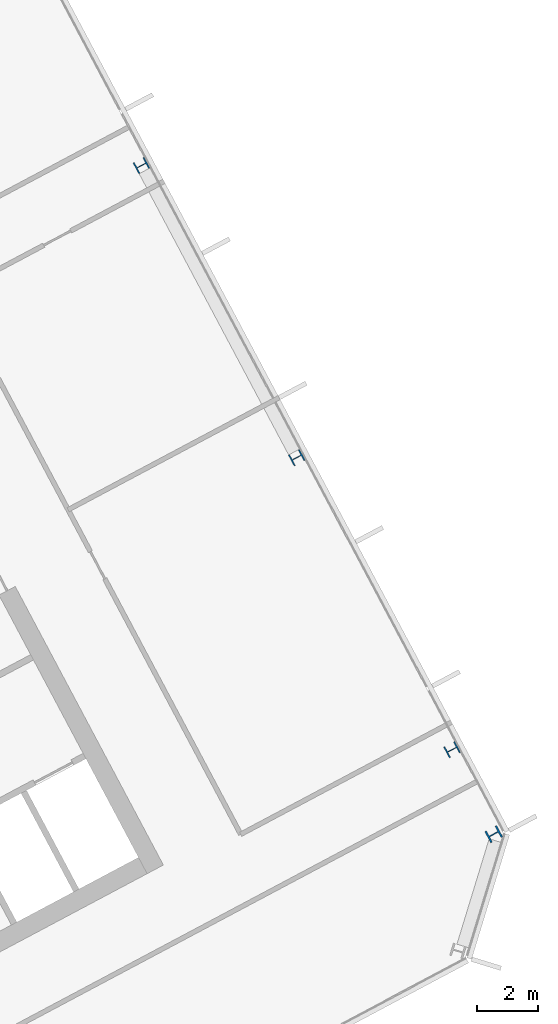
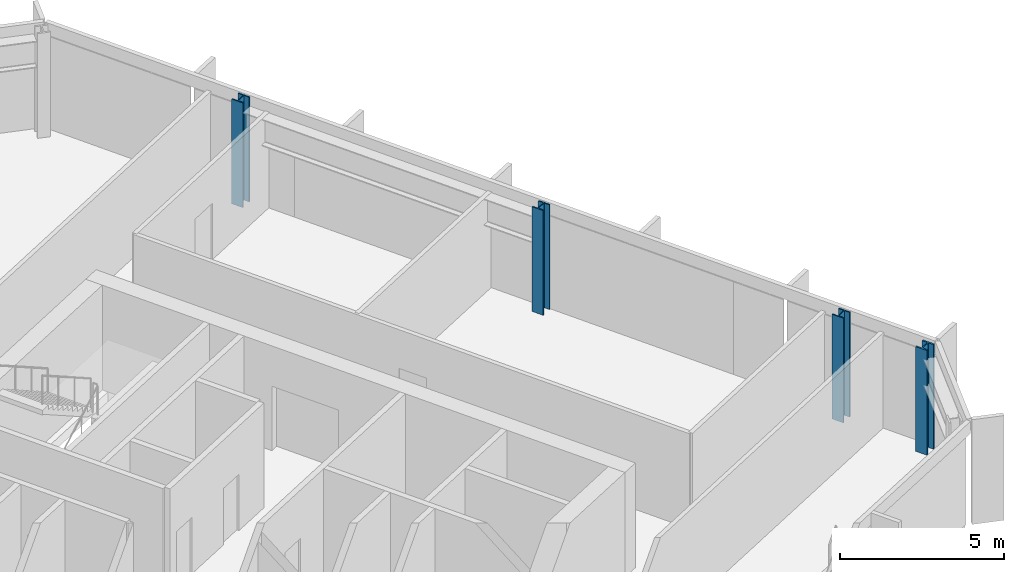
# One storey, part 7 of 26: 4 columns.
"""IFC4 building model written with IfcOpenShell, lengths in metres."""

from ifc_helpers import new_model, si_unit, direction, frame, origin, origin_2d, place, context, subcontext, project, spatial, i_section, extrude, material, material_profile, profile_set, type_object, element, save


model = new_model("IFC4")

# Units and contexts
model_context = context("Model", 3, precision=1e-05, world=origin(), true_north=direction((0.0, 1.0)))
body_context = subcontext(model_context, "Body", "Model", "MODEL_VIEW")
ifc_project = project(units=[si_unit("LENGTHUNIT", "METRE"), si_unit("AREAUNIT", "SQUARE_METRE"), si_unit("VOLUMEUNIT", "CUBIC_METRE"), si_unit("PLANEANGLEUNIT", "RADIAN"), si_unit("MASSUNIT", "GRAM", prefix="KILO")], contexts=[model_context])

# Site, building, storey
site_placement = place(None, origin())
site = spatial("IfcSite", under=ifc_project, at=site_placement, CompositionType="ELEMENT")
building_placement = place(site_placement, origin())
building = spatial("IfcBuilding", under=site, at=building_placement, Name="Cormorant Relay Tower", CompositionType="ELEMENT")
storey_placement = place(building_placement, frame((0.0, 0.0, 213.0)))
storey = spatial("IfcBuildingStorey", under=building, at=storey_placement, Name="L46", CompositionType="ELEMENT", Elevation=213.0)

# Columns
ifc_material_1 = material(Name="Steel ASTM A992 (Fy 345 MPa)", Category="steel")
ifc_material_profile_1 = material_profile(ifc_material_1, i_section(OverallWidth=0.40380859375, OverallDepth=0.406494140625, WebThickness=0.027099609375, FlangeThickness=0.043701171875, FilletRadius=0.01513671875, at=origin_2d()), Name="W360x347")
ifc_profile_set_1 = profile_set([ifc_material_profile_1], Name="Steel ASTM A992 (Fy 345 MPa)")
column_type_1 = type_object("IfcColumnType", Name="Column W360x347", PredefinedType="COLUMN", material=ifc_profile_set_1)
for number, where, z_axis, x_axis, name in (
    (1, (47.26611328125, 12.89990234375, 0.0), (0.0, 0.0, 1.0), (-0.469471562786, 0.882947592859, 0.0), "Column L46-026"),
    (2, (42.196044921875, 22.43603515625, 0.0), (0.0, 0.0, 1.0), (-0.469471562786, 0.882947592859, 0.0), "Column L46-029"),
    (3, (37.1259765625, 31.971923828125, 0.0), (0.0, 0.0, 1.0), (-0.469471562786, 0.882947592859, 0.0), "Column L46-036"),
):
    element("IfcColumn", number, at=place(storey_placement, frame(where, z_axis=z_axis, x_axis=x_axis)), inside=storey, type_object=column_type_1, Name=name, PredefinedType="COLUMN", context=body_context, shape_type="SweptSolid", body=[
        extrude(i_section(OverallWidth=0.40380859375, OverallDepth=0.406494140625, WebThickness=0.027099609375, FlangeThickness=0.043701171875, FilletRadius=0.01513671875, at=origin_2d()), origin(), (0.0, 0.0, 1.0), 3.89990234375),
    ])
ifc_material_2 = material(Name="Steel ASTM A992 (Fy 345 MPa)", Category="steel")
ifc_material_profile_2 = material_profile(ifc_material_2, i_section(OverallWidth=0.41162109375, OverallDepth=0.434326171875, WebThickness=0.035888671875, FlangeThickness=0.057373046875, FilletRadius=0.01513671875, at=origin_2d()), Name="W360x463")
ifc_profile_set_2 = profile_set([ifc_material_profile_2], Name="Steel ASTM A992 (Fy 345 MPa)")
column_type_2 = type_object("IfcColumnType", Name="Column W360x463", PredefinedType="COLUMN", material=ifc_profile_set_2)
column_placement = place(storey_placement, frame((48.6259765625, 10.14208984375, 0.0), z_axis=(0.0, 0.0, 1.0), x_axis=(-0.469471562786, 0.882947592859, 0.0)))
element("IfcColumn", 4, at=column_placement, inside=storey, type_object=column_type_2, Name="Column L46-021", PredefinedType="COLUMN", context=body_context, shape_type="SweptSolid", body=[
    extrude(i_section(OverallWidth=0.41162109375, OverallDepth=0.434326171875, WebThickness=0.035888671875, FlangeThickness=0.057373046875, FilletRadius=0.01513671875, at=origin_2d()), origin(), (0.0, 0.0, 1.0), 3.89990234375),
])

save(model, "model.ifc")
